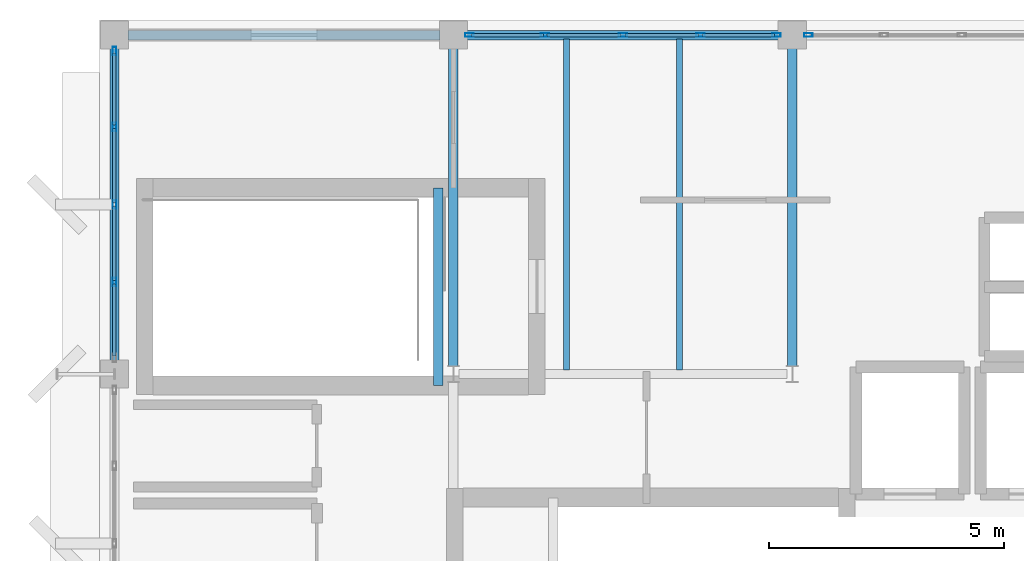
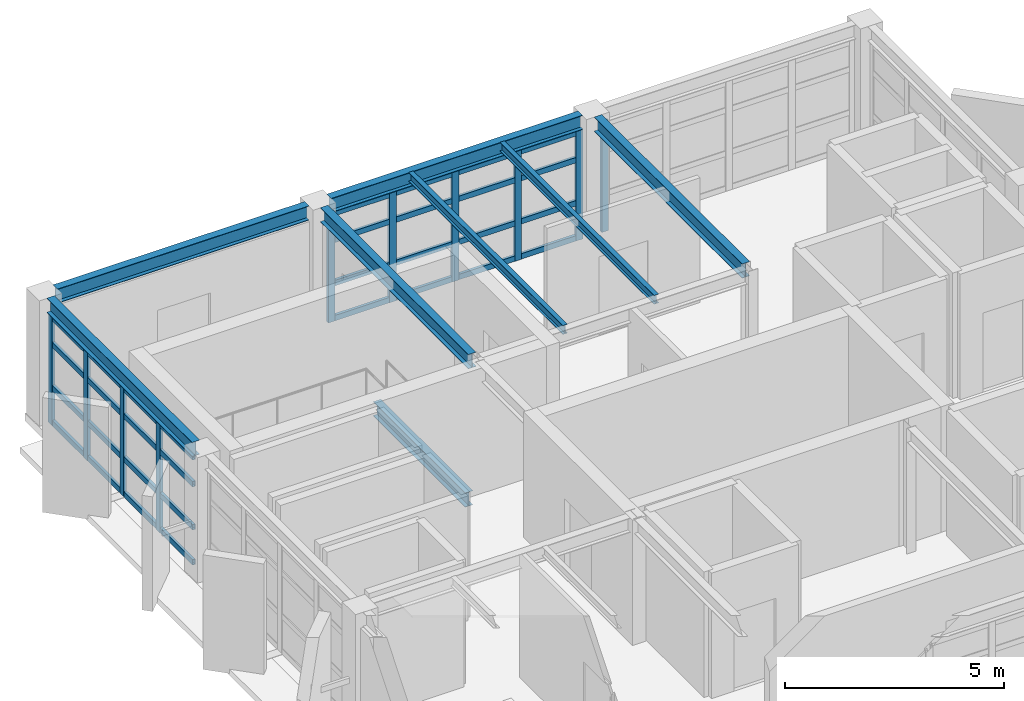
# One storey, part 5 of 13: 42 members, 8 beams, 3 elements without a shape of their own.
"""IFC4 building model written with IfcOpenShell, lengths in metres."""

from ifc_helpers import new_model, si_unit, direction, frame, origin, origin_2d, place, context, subcontext, project, spatial, hollow_rectangle, i_section, extrude, material, layer, layer_set, material_profile, profile_set, type_object, element, aggregate, save


model = new_model("IFC4")

# Units and contexts
model_context = context("Model", 3, precision=1e-05, world=origin(), true_north=direction((0.0, 1.0)))
body_context = subcontext(model_context, "Body", "Model", "MODEL_VIEW")
ifc_project = project(units=[si_unit("LENGTHUNIT", "METRE"), si_unit("AREAUNIT", "SQUARE_METRE"), si_unit("VOLUMEUNIT", "CUBIC_METRE"), si_unit("PLANEANGLEUNIT", "RADIAN"), si_unit("MASSUNIT", "GRAM", prefix="KILO")], contexts=[model_context])

# Site, building, storey
site_placement = place(None, origin())
site = spatial("IfcSite", under=ifc_project, at=site_placement, CompositionType="ELEMENT")
building_placement = place(site_placement, origin())
building = spatial("IfcBuilding", under=site, at=building_placement, Name="Kandorven Conservatory and Botanical Research Centre", CompositionType="ELEMENT")
storey_placement = place(building_placement, frame((0.0, 0.0, 63.14990234375)))
storey = spatial("IfcBuildingStorey", under=building, at=storey_placement, Name="L16", CompositionType="ELEMENT", Elevation=63.14990234375)

# Beams
ifc_material_1 = material(Name="Steel S355 (IS 2062 E350)", Category="steel")
ifc_material_profile_1 = material_profile(ifc_material_1, i_section(OverallWidth=0.199951171875, OverallDepth=0.39990234375, WebThickness=0.008544921875, FlangeThickness=0.012939453125, at=origin_2d()))
ifc_profile_set_1 = profile_set([ifc_material_profile_1], Name="Steel S355 (IS 2062 E350)")
beam_type_1 = type_object("IfcBeamType", Name="Beam_FG-03", PredefinedType="USERDEFINED", material=ifc_profile_set_1)
beam_1_placement = place(storey_placement, frame((6.2900390625, 27.60009765625, 3.2900390625), z_axis=(1.0, 0.0, 0.0), x_axis=(0.0, 1.0, 0.0)))
element("IfcBeam", 1, at=beam_1_placement, inside=storey, type_object=beam_type_1, Name="Primary girder FG-03 TWR L16", ObjectType="GIRDER", PredefinedType="USERDEFINED", context=body_context, shape_type="SweptSolid", body=[
    extrude(i_section(OverallWidth=0.199951171875, OverallDepth=0.39990234375, WebThickness=0.008544921875, FlangeThickness=0.012939453125, at=origin_2d()), origin(), (0.0, 0.0, 1.0), 6.619873046875),
])
for number, where, z_axis, x_axis, name in (
    (2, (13.489990234375, 27.60009765625, 3.2900390625), (1.0, 0.0, 0.0), (0.0, 1.0, 0.0), "Primary girder FG-03 TWR L16"),
    (3, (6.0, 20.68994140625, 3.2900390625), (0.0, 1.0, 0.0), (-1.0, 0.0, 0.0), "Primary girder FG-03 TWR L16"),
):
    element("IfcBeam", number, at=place(storey_placement, frame(where, z_axis=z_axis, x_axis=x_axis)), inside=storey, type_object=beam_type_1, Name=name, ObjectType="GIRDER", PredefinedType="USERDEFINED", context=body_context, shape_type="SweptSolid", body=[
        extrude(i_section(OverallWidth=0.199951171875, OverallDepth=0.39990234375, WebThickness=0.008544921875, FlangeThickness=0.012939453125, at=origin_2d()), origin(), (0.0, 0.0, 1.0), 6.6201171875),
    ])
for number, where, z_axis, x_axis, name in (
    (4, (13.199951171875, 20.56494140625, 3.2900390625), (0.0, 1.0, 0.0), (-1.0, 0.0, 0.0), "Primary girder FG-03 TWR L16"),
    (5, (20.39990234375, 20.56494140625, 3.2900390625), (0.0, 1.0, 0.0), (-1.0, 0.0, 0.0), "Primary girder FG-03 TWR L16"),
):
    element("IfcBeam", number, at=place(storey_placement, frame(where, z_axis=z_axis, x_axis=x_axis)), inside=storey, type_object=beam_type_1, Name=name, ObjectType="GIRDER", PredefinedType="USERDEFINED", context=body_context, shape_type="SweptSolid", body=[
        extrude(i_section(OverallWidth=0.199951171875, OverallDepth=0.39990234375, WebThickness=0.008544921875, FlangeThickness=0.012939453125, at=origin_2d()), origin(), (0.0, 0.0, 1.0), 6.7451171875),
    ])
beam_2_placement = place(storey_placement, frame((12.8798828125, 24.35009765625, -0.199951171875), z_axis=(0.0, -1.0, 0.0), x_axis=(1.0, 0.0, 0.0)))
element("IfcBeam", 6, at=beam_2_placement, inside=storey, type_object=beam_type_1, Name="Stair well bottom trimmer girder FG-03 ST-T2 L16", ObjectType="GIRDER", PredefinedType="USERDEFINED", context=body_context, shape_type="SweptSolid", body=[
    extrude(i_section(OverallWidth=0.199951171875, OverallDepth=0.39990234375, WebThickness=0.008544921875, FlangeThickness=0.012939453125, at=origin_2d()), origin(), (0.0, 0.0, 1.0), 4.190185546875),
])
ifc_material_2 = material(Name="Steel S355 (IS 2062 E350)", Category="steel")
ifc_material_profile_2 = material_profile(ifc_material_2, i_section(OverallWidth=0.125, OverallDepth=0.25, WebThickness=0.0068359375, FlangeThickness=0.012451171875, at=origin_2d()))
ifc_profile_set_2 = profile_set([ifc_material_profile_2], Name="Steel S355 (IS 2062 E350)")
beam_type_2 = type_object("IfcBeamType", Name="Beam_RJ-01", PredefinedType="JOIST", material=ifc_profile_set_2)
for number, where, z_axis, x_axis, name in (
    (7, (15.60009765625, 20.485107421875, 3.364990234375), (0.0, 1.0, 0.0), (-1.0, 0.0, 0.0), "Composite secondary beam RJ-01 TWR L16"),
    (8, (18.0, 20.485107421875, 3.364990234375), (0.0, 1.0, 0.0), (-1.0, 0.0, 0.0), "Composite secondary beam RJ-01 TWR L16"),
):
    element("IfcBeam", number, at=place(storey_placement, frame(where, z_axis=z_axis, x_axis=x_axis)), inside=storey, type_object=beam_type_2, Name=name, PredefinedType="JOIST", context=body_context, shape_type="SweptSolid", body=[
        extrude(i_section(OverallWidth=0.125, OverallDepth=0.25, WebThickness=0.0068359375, FlangeThickness=0.012451171875, at=origin_2d()), origin(), (0.0, 0.0, 1.0), 7.02978515625),
    ])

# Curtain wall, members
ifc_material_3 = material(Name="Bronze anodised thermally broken aluminium", Category="aluminium")
ifc_layer = layer(ifc_material_3, 0.179931640625)
ifc_layer_set = layer_set([ifc_layer], Name="Bronze anodised thermally broken aluminium")
curtain_wall_type = type_object("IfcCurtainWallType", Name="CW_Unitised", PredefinedType="USERDEFINED", material=ifc_layer_set)
curtain_wall_1_placement = place(storey_placement, origin())
curtain_wall_1 = element("IfcCurtainWall", 9, at=curtain_wall_1_placement, inside=storey, type_object=curtain_wall_type, Name="Tower laboratory curtain wall CW-TWR-N-L16-2", ObjectType="UNITISED GLAZING", PredefinedType="USERDEFINED")
ifc_material_4 = material(Name="Bronze anodised thermally broken aluminium", Category="aluminium")
ifc_material_profile_3 = material_profile(ifc_material_4, hollow_rectangle(XDim=0.080078125, YDim=0.179931640625, WallThickness=0.006103515625, at=origin_2d()))
ifc_profile_set_3 = profile_set([ifc_material_profile_3], Name="Bronze anodised thermally broken aluminium")
member_type_1 = type_object("IfcMemberType", Name="CW_Mullion", PredefinedType="MULLION", material=ifc_profile_set_3)
member_1_placement = place(storey_placement, frame((13.5400390625, 27.60009765625, 0.0), z_axis=(0.0, 0.0, 1.0), x_axis=(0.0, 1.0, 0.0)))
member_1 = element("IfcMember", 10, at=member_1_placement, type_object=member_type_1, Name="CW-01 mullion 1", PredefinedType="MULLION", context=body_context, shape_type="SweptSolid", body=[
    extrude(hollow_rectangle(XDim=0.080078125, YDim=0.179931640625, WallThickness=0.006103515625, at=origin_2d()), origin(), (0.0, 0.0, 1.0), 3.070068359375),
])
member_2_placement = place(storey_placement, frame((15.14990234375, 27.60009765625, 0.0), z_axis=(0.0, 0.0, 1.0), x_axis=(0.0, 1.0, 0.0)))
member_2 = element("IfcMember", 11, at=member_2_placement, type_object=member_type_1, Name="CW-01 mullion 2", PredefinedType="MULLION", context=body_context, shape_type="SweptSolid", body=[
    extrude(hollow_rectangle(XDim=0.080078125, YDim=0.179931640625, WallThickness=0.006103515625, at=origin_2d()), origin(), (0.0, 0.0, 1.0), 3.070068359375),
])
member_3_placement = place(storey_placement, frame((16.800048828125, 27.60009765625, 0.0), z_axis=(0.0, 0.0, 1.0), x_axis=(0.0, 1.0, 0.0)))
member_3 = element("IfcMember", 12, at=member_3_placement, type_object=member_type_1, Name="CW-01 mullion 3", PredefinedType="MULLION", context=body_context, shape_type="SweptSolid", body=[
    extrude(hollow_rectangle(XDim=0.080078125, YDim=0.179931640625, WallThickness=0.006103515625, at=origin_2d()), origin(), (0.0, 0.0, 1.0), 3.070068359375),
])
member_4_placement = place(storey_placement, frame((18.449951171875, 27.60009765625, 0.0), z_axis=(0.0, 0.0, 1.0), x_axis=(0.0, 1.0, 0.0)))
member_4 = element("IfcMember", 13, at=member_4_placement, type_object=member_type_1, Name="CW-01 mullion 4", PredefinedType="MULLION", context=body_context, shape_type="SweptSolid", body=[
    extrude(hollow_rectangle(XDim=0.080078125, YDim=0.179931640625, WallThickness=0.006103515625, at=origin_2d()), origin(), (0.0, 0.0, 1.0), 3.070068359375),
])
member_5_placement = place(storey_placement, frame((20.06005859375, 27.60009765625, 0.0), z_axis=(0.0, 0.0, 1.0), x_axis=(0.0, 1.0, 0.0)))
member_5 = element("IfcMember", 14, at=member_5_placement, type_object=member_type_1, Name="CW-01 mullion 5", PredefinedType="MULLION", context=body_context, shape_type="SweptSolid", body=[
    extrude(hollow_rectangle(XDim=0.080078125, YDim=0.179931640625, WallThickness=0.006103515625, at=origin_2d()), origin(), (0.0, 0.0, 1.0), 3.070068359375),
])

# Curtain wall, member
curtain_wall_2_placement = place(storey_placement, origin())
curtain_wall_2 = element("IfcCurtainWall", 15, at=curtain_wall_2_placement, inside=storey, type_object=curtain_wall_type, Name="Tower laboratory curtain wall CW-TWR-N-L16-3", ObjectType="UNITISED GLAZING", PredefinedType="USERDEFINED")
member_6_placement = place(storey_placement, frame((20.739990234375, 27.60009765625, 0.0), z_axis=(0.0, 0.0, 1.0), x_axis=(0.0, 1.0, 0.0)))
member_6 = element("IfcMember", 16, at=member_6_placement, type_object=member_type_1, Name="CW-01 mullion 1", PredefinedType="MULLION", context=body_context, shape_type="SweptSolid", body=[
    extrude(hollow_rectangle(XDim=0.080078125, YDim=0.179931640625, WallThickness=0.006103515625, at=origin_2d()), origin(), (0.0, 0.0, 1.0), 3.070068359375),
])
aggregate(curtain_wall_2, [member_6])

# Curtain wall, members
curtain_wall_3_placement = place(storey_placement, origin())
curtain_wall_3 = element("IfcCurtainWall", 17, at=curtain_wall_3_placement, inside=storey, type_object=curtain_wall_type, Name="Tower laboratory curtain wall CW-TWR-W-L16-3", ObjectType="UNITISED GLAZING", PredefinedType="USERDEFINED")
member_7_placement = place(storey_placement, frame((6.0, 22.35009765625, 0.0), z_axis=(0.0, 0.0, 1.0), x_axis=(-1.0, 0.0, 0.0)))
member_7 = element("IfcMember", 18, at=member_7_placement, type_object=member_type_1, Name="CW-01 mullion 2", PredefinedType="MULLION", context=body_context, shape_type="SweptSolid", body=[
    extrude(hollow_rectangle(XDim=0.080078125, YDim=0.179931640625, WallThickness=0.006103515625, at=origin_2d()), origin(), (0.0, 0.0, 1.0), 3.070068359375),
])
member_8_placement = place(storey_placement, frame((6.0, 24.0, 0.0), z_axis=(0.0, 0.0, 1.0), x_axis=(-1.0, 0.0, 0.0)))
member_8 = element("IfcMember", 19, at=member_8_placement, type_object=member_type_1, Name="CW-01 mullion 3", PredefinedType="MULLION", context=body_context, shape_type="SweptSolid", body=[
    extrude(hollow_rectangle(XDim=0.080078125, YDim=0.179931640625, WallThickness=0.006103515625, at=origin_2d()), origin(), (0.0, 0.0, 1.0), 3.070068359375),
])
member_9_placement = place(storey_placement, frame((6.0, 25.64990234375, 0.0), z_axis=(0.0, 0.0, 1.0), x_axis=(-1.0, 0.0, 0.0)))
member_9 = element("IfcMember", 20, at=member_9_placement, type_object=member_type_1, Name="CW-01 mullion 4", PredefinedType="MULLION", context=body_context, shape_type="SweptSolid", body=[
    extrude(hollow_rectangle(XDim=0.080078125, YDim=0.179931640625, WallThickness=0.006103515625, at=origin_2d()), origin(), (0.0, 0.0, 1.0), 3.070068359375),
])
member_10_placement = place(storey_placement, frame((6.0, 27.260009765625, 0.0), z_axis=(0.0, 0.0, 1.0), x_axis=(-1.0, 0.0, 0.0)))
member_10 = element("IfcMember", 21, at=member_10_placement, type_object=member_type_1, Name="CW-01 mullion 5", PredefinedType="MULLION", context=body_context, shape_type="SweptSolid", body=[
    extrude(hollow_rectangle(XDim=0.080078125, YDim=0.179931640625, WallThickness=0.006103515625, at=origin_2d()), origin(), (0.0, 0.0, 1.0), 3.070068359375),
])

# Member
ifc_material_5 = material(Name="Bronze anodised thermally broken aluminium", Category="aluminium")
ifc_material_profile_4 = material_profile(ifc_material_5, hollow_rectangle(XDim=0.074951171875, YDim=0.14990234375, WallThickness=0.006103515625, at=origin_2d()))
ifc_profile_set_4 = profile_set([ifc_material_profile_4], Name="Bronze anodised thermally broken aluminium")
member_type_2 = type_object("IfcMemberType", Name="CW_Transom", PredefinedType="USERDEFINED", material=ifc_profile_set_4)
member_11_placement = place(storey_placement, frame((13.580078125, 27.60009765625, 0.0751953125), z_axis=(1.0, 0.0, 0.0), x_axis=(0.0, 1.0, 0.0)))
member_11 = element("IfcMember", 22, at=member_11_placement, type_object=member_type_2, Name="CW-01 transom 1.1", ObjectType="TRANSOM", PredefinedType="USERDEFINED", context=body_context, shape_type="SweptSolid", body=[
    extrude(hollow_rectangle(XDim=0.074951171875, YDim=0.14990234375, WallThickness=0.006103515625, at=origin_2d()), origin(), (0.0, 0.0, 1.0), 1.530029296875),
])

member_12_placement = place(storey_placement, frame((13.580078125, 27.60009765625, 1.050048828125), z_axis=(1.0, 0.0, 0.0), x_axis=(0.0, 1.0, 0.0)))
member_12 = element("IfcMember", 23, at=member_12_placement, type_object=member_type_2, Name="CW-01 transom 1.2", ObjectType="TRANSOM", PredefinedType="USERDEFINED", context=body_context, shape_type="SweptSolid", body=[
    extrude(hollow_rectangle(XDim=0.074951171875, YDim=0.14990234375, WallThickness=0.006103515625, at=origin_2d()), origin(), (0.0, 0.0, 1.0), 1.530029296875),
])

member_13_placement = place(storey_placement, frame((13.580078125, 27.60009765625, 2.25), z_axis=(1.0, 0.0, 0.0), x_axis=(0.0, 1.0, 0.0)))
member_13 = element("IfcMember", 24, at=member_13_placement, type_object=member_type_2, Name="CW-01 transom 1.3", ObjectType="TRANSOM", PredefinedType="USERDEFINED", context=body_context, shape_type="SweptSolid", body=[
    extrude(hollow_rectangle(XDim=0.074951171875, YDim=0.14990234375, WallThickness=0.006103515625, at=origin_2d()), origin(), (0.0, 0.0, 1.0), 1.530029296875),
])

member_14_placement = place(storey_placement, frame((13.580078125, 27.60009765625, 2.9951171875), z_axis=(1.0, 0.0, 0.0), x_axis=(0.0, 1.0, 0.0)))
member_14 = element("IfcMember", 25, at=member_14_placement, type_object=member_type_2, Name="CW-01 transom 1.4", ObjectType="TRANSOM", PredefinedType="USERDEFINED", context=body_context, shape_type="SweptSolid", body=[
    extrude(hollow_rectangle(XDim=0.074951171875, YDim=0.14990234375, WallThickness=0.006103515625, at=origin_2d()), origin(), (0.0, 0.0, 1.0), 1.530029296875),
])

member_15_placement = place(storey_placement, frame((15.18994140625, 27.60009765625, 0.0751953125), z_axis=(1.0, 0.0, 0.0), x_axis=(0.0, 1.0, 0.0)))
member_15 = element("IfcMember", 26, at=member_15_placement, type_object=member_type_2, Name="CW-01 transom 2.1", ObjectType="TRANSOM", PredefinedType="USERDEFINED", context=body_context, shape_type="SweptSolid", body=[
    extrude(hollow_rectangle(XDim=0.074951171875, YDim=0.14990234375, WallThickness=0.006103515625, at=origin_2d()), origin(), (0.0, 0.0, 1.0), 1.570068359375),
])

member_16_placement = place(storey_placement, frame((15.18994140625, 27.60009765625, 1.050048828125), z_axis=(1.0, 0.0, 0.0), x_axis=(0.0, 1.0, 0.0)))
member_16 = element("IfcMember", 27, at=member_16_placement, type_object=member_type_2, Name="CW-01 transom 2.2", ObjectType="TRANSOM", PredefinedType="USERDEFINED", context=body_context, shape_type="SweptSolid", body=[
    extrude(hollow_rectangle(XDim=0.074951171875, YDim=0.14990234375, WallThickness=0.006103515625, at=origin_2d()), origin(), (0.0, 0.0, 1.0), 1.570068359375),
])

member_17_placement = place(storey_placement, frame((15.18994140625, 27.60009765625, 2.25), z_axis=(1.0, 0.0, 0.0), x_axis=(0.0, 1.0, 0.0)))
member_17 = element("IfcMember", 28, at=member_17_placement, type_object=member_type_2, Name="CW-01 transom 2.3", ObjectType="TRANSOM", PredefinedType="USERDEFINED", context=body_context, shape_type="SweptSolid", body=[
    extrude(hollow_rectangle(XDim=0.074951171875, YDim=0.14990234375, WallThickness=0.006103515625, at=origin_2d()), origin(), (0.0, 0.0, 1.0), 1.570068359375),
])

member_18_placement = place(storey_placement, frame((15.18994140625, 27.60009765625, 2.9951171875), z_axis=(1.0, 0.0, 0.0), x_axis=(0.0, 1.0, 0.0)))
member_18 = element("IfcMember", 29, at=member_18_placement, type_object=member_type_2, Name="CW-01 transom 2.4", ObjectType="TRANSOM", PredefinedType="USERDEFINED", context=body_context, shape_type="SweptSolid", body=[
    extrude(hollow_rectangle(XDim=0.074951171875, YDim=0.14990234375, WallThickness=0.006103515625, at=origin_2d()), origin(), (0.0, 0.0, 1.0), 1.570068359375),
])

member_19_placement = place(storey_placement, frame((16.840087890625, 27.60009765625, 0.0751953125), z_axis=(1.0, 0.0, 0.0), x_axis=(0.0, 1.0, 0.0)))
member_19 = element("IfcMember", 30, at=member_19_placement, type_object=member_type_2, Name="CW-01 transom 3.1", ObjectType="TRANSOM", PredefinedType="USERDEFINED", context=body_context, shape_type="SweptSolid", body=[
    extrude(hollow_rectangle(XDim=0.074951171875, YDim=0.14990234375, WallThickness=0.006103515625, at=origin_2d()), origin(), (0.0, 0.0, 1.0), 1.56982421875),
])

member_20_placement = place(storey_placement, frame((16.840087890625, 27.60009765625, 1.050048828125), z_axis=(1.0, 0.0, 0.0), x_axis=(0.0, 1.0, 0.0)))
member_20 = element("IfcMember", 31, at=member_20_placement, type_object=member_type_2, Name="CW-01 transom 3.2", ObjectType="TRANSOM", PredefinedType="USERDEFINED", context=body_context, shape_type="SweptSolid", body=[
    extrude(hollow_rectangle(XDim=0.074951171875, YDim=0.14990234375, WallThickness=0.006103515625, at=origin_2d()), origin(), (0.0, 0.0, 1.0), 1.56982421875),
])

member_21_placement = place(storey_placement, frame((16.840087890625, 27.60009765625, 2.25), z_axis=(1.0, 0.0, 0.0), x_axis=(0.0, 1.0, 0.0)))
member_21 = element("IfcMember", 32, at=member_21_placement, type_object=member_type_2, Name="CW-01 transom 3.3", ObjectType="TRANSOM", PredefinedType="USERDEFINED", context=body_context, shape_type="SweptSolid", body=[
    extrude(hollow_rectangle(XDim=0.074951171875, YDim=0.14990234375, WallThickness=0.006103515625, at=origin_2d()), origin(), (0.0, 0.0, 1.0), 1.56982421875),
])

member_22_placement = place(storey_placement, frame((16.840087890625, 27.60009765625, 2.9951171875), z_axis=(1.0, 0.0, 0.0), x_axis=(0.0, 1.0, 0.0)))
member_22 = element("IfcMember", 33, at=member_22_placement, type_object=member_type_2, Name="CW-01 transom 3.4", ObjectType="TRANSOM", PredefinedType="USERDEFINED", context=body_context, shape_type="SweptSolid", body=[
    extrude(hollow_rectangle(XDim=0.074951171875, YDim=0.14990234375, WallThickness=0.006103515625, at=origin_2d()), origin(), (0.0, 0.0, 1.0), 1.56982421875),
])

member_23_placement = place(storey_placement, frame((18.489990234375, 27.60009765625, 0.0751953125), z_axis=(1.0, 0.0, 0.0), x_axis=(0.0, 1.0, 0.0)))
member_23 = element("IfcMember", 34, at=member_23_placement, type_object=member_type_2, Name="CW-01 transom 4.1", ObjectType="TRANSOM", PredefinedType="USERDEFINED", context=body_context, shape_type="SweptSolid", body=[
    extrude(hollow_rectangle(XDim=0.074951171875, YDim=0.14990234375, WallThickness=0.006103515625, at=origin_2d()), origin(), (0.0, 0.0, 1.0), 1.530029296875),
])

member_24_placement = place(storey_placement, frame((18.489990234375, 27.60009765625, 1.050048828125), z_axis=(1.0, 0.0, 0.0), x_axis=(0.0, 1.0, 0.0)))
member_24 = element("IfcMember", 35, at=member_24_placement, type_object=member_type_2, Name="CW-01 transom 4.2", ObjectType="TRANSOM", PredefinedType="USERDEFINED", context=body_context, shape_type="SweptSolid", body=[
    extrude(hollow_rectangle(XDim=0.074951171875, YDim=0.14990234375, WallThickness=0.006103515625, at=origin_2d()), origin(), (0.0, 0.0, 1.0), 1.530029296875),
])

member_25_placement = place(storey_placement, frame((18.489990234375, 27.60009765625, 2.25), z_axis=(1.0, 0.0, 0.0), x_axis=(0.0, 1.0, 0.0)))
member_25 = element("IfcMember", 36, at=member_25_placement, type_object=member_type_2, Name="CW-01 transom 4.3", ObjectType="TRANSOM", PredefinedType="USERDEFINED", context=body_context, shape_type="SweptSolid", body=[
    extrude(hollow_rectangle(XDim=0.074951171875, YDim=0.14990234375, WallThickness=0.006103515625, at=origin_2d()), origin(), (0.0, 0.0, 1.0), 1.530029296875),
])

member_26_placement = place(storey_placement, frame((18.489990234375, 27.60009765625, 2.9951171875), z_axis=(1.0, 0.0, 0.0), x_axis=(0.0, 1.0, 0.0)))
member_26 = element("IfcMember", 37, at=member_26_placement, type_object=member_type_2, Name="CW-01 transom 4.4", ObjectType="TRANSOM", PredefinedType="USERDEFINED", context=body_context, shape_type="SweptSolid", body=[
    extrude(hollow_rectangle(XDim=0.074951171875, YDim=0.14990234375, WallThickness=0.006103515625, at=origin_2d()), origin(), (0.0, 0.0, 1.0), 1.530029296875),
])

aggregate(curtain_wall_1, [member_1, member_2, member_3, member_4, member_5, member_11, member_12, member_13, member_14, member_15, member_16, member_17, member_18, member_19, member_20, member_21, member_22, member_23, member_24, member_25, member_26])

member_27_placement = place(storey_placement, frame((6.0, 20.780029296875, 0.0751953125), z_axis=(0.0, 1.0, 0.0), x_axis=(-1.0, 0.0, 0.0)))
member_27 = element("IfcMember", 38, at=member_27_placement, type_object=member_type_2, Name="CW-01 transom 1.1", ObjectType="TRANSOM", PredefinedType="USERDEFINED", context=body_context, shape_type="SweptSolid", body=[
    extrude(hollow_rectangle(XDim=0.074951171875, YDim=0.14990234375, WallThickness=0.006103515625, at=origin_2d()), origin(), (0.0, 0.0, 1.0), 1.530029296875),
])

member_28_placement = place(storey_placement, frame((6.0, 20.780029296875, 1.050048828125), z_axis=(0.0, 1.0, 0.0), x_axis=(-1.0, 0.0, 0.0)))
member_28 = element("IfcMember", 39, at=member_28_placement, type_object=member_type_2, Name="CW-01 transom 1.2", ObjectType="TRANSOM", PredefinedType="USERDEFINED", context=body_context, shape_type="SweptSolid", body=[
    extrude(hollow_rectangle(XDim=0.074951171875, YDim=0.14990234375, WallThickness=0.006103515625, at=origin_2d()), origin(), (0.0, 0.0, 1.0), 1.530029296875),
])

member_29_placement = place(storey_placement, frame((6.0, 20.780029296875, 2.25), z_axis=(0.0, 1.0, 0.0), x_axis=(-1.0, 0.0, 0.0)))
member_29 = element("IfcMember", 40, at=member_29_placement, type_object=member_type_2, Name="CW-01 transom 1.3", ObjectType="TRANSOM", PredefinedType="USERDEFINED", context=body_context, shape_type="SweptSolid", body=[
    extrude(hollow_rectangle(XDim=0.074951171875, YDim=0.14990234375, WallThickness=0.006103515625, at=origin_2d()), origin(), (0.0, 0.0, 1.0), 1.530029296875),
])

member_30_placement = place(storey_placement, frame((6.0, 20.780029296875, 2.9951171875), z_axis=(0.0, 1.0, 0.0), x_axis=(-1.0, 0.0, 0.0)))
member_30 = element("IfcMember", 41, at=member_30_placement, type_object=member_type_2, Name="CW-01 transom 1.4", ObjectType="TRANSOM", PredefinedType="USERDEFINED", context=body_context, shape_type="SweptSolid", body=[
    extrude(hollow_rectangle(XDim=0.074951171875, YDim=0.14990234375, WallThickness=0.006103515625, at=origin_2d()), origin(), (0.0, 0.0, 1.0), 1.530029296875),
])

member_31_placement = place(storey_placement, frame((6.0, 22.389892578125, 0.0751953125), z_axis=(0.0, 1.0, 0.0), x_axis=(-1.0, 0.0, 0.0)))
member_31 = element("IfcMember", 42, at=member_31_placement, type_object=member_type_2, Name="CW-01 transom 2.1", ObjectType="TRANSOM", PredefinedType="USERDEFINED", context=body_context, shape_type="SweptSolid", body=[
    extrude(hollow_rectangle(XDim=0.074951171875, YDim=0.14990234375, WallThickness=0.006103515625, at=origin_2d()), origin(), (0.0, 0.0, 1.0), 1.570068359375),
])

member_32_placement = place(storey_placement, frame((6.0, 22.389892578125, 1.050048828125), z_axis=(0.0, 1.0, 0.0), x_axis=(-1.0, 0.0, 0.0)))
member_32 = element("IfcMember", 43, at=member_32_placement, type_object=member_type_2, Name="CW-01 transom 2.2", ObjectType="TRANSOM", PredefinedType="USERDEFINED", context=body_context, shape_type="SweptSolid", body=[
    extrude(hollow_rectangle(XDim=0.074951171875, YDim=0.14990234375, WallThickness=0.006103515625, at=origin_2d()), origin(), (0.0, 0.0, 1.0), 1.570068359375),
])

member_33_placement = place(storey_placement, frame((6.0, 22.389892578125, 2.25), z_axis=(0.0, 1.0, 0.0), x_axis=(-1.0, 0.0, 0.0)))
member_33 = element("IfcMember", 44, at=member_33_placement, type_object=member_type_2, Name="CW-01 transom 2.3", ObjectType="TRANSOM", PredefinedType="USERDEFINED", context=body_context, shape_type="SweptSolid", body=[
    extrude(hollow_rectangle(XDim=0.074951171875, YDim=0.14990234375, WallThickness=0.006103515625, at=origin_2d()), origin(), (0.0, 0.0, 1.0), 1.570068359375),
])

member_34_placement = place(storey_placement, frame((6.0, 22.389892578125, 2.9951171875), z_axis=(0.0, 1.0, 0.0), x_axis=(-1.0, 0.0, 0.0)))
member_34 = element("IfcMember", 45, at=member_34_placement, type_object=member_type_2, Name="CW-01 transom 2.4", ObjectType="TRANSOM", PredefinedType="USERDEFINED", context=body_context, shape_type="SweptSolid", body=[
    extrude(hollow_rectangle(XDim=0.074951171875, YDim=0.14990234375, WallThickness=0.006103515625, at=origin_2d()), origin(), (0.0, 0.0, 1.0), 1.570068359375),
])

member_35_placement = place(storey_placement, frame((6.0, 24.0400390625, 0.0751953125), z_axis=(0.0, 1.0, 0.0), x_axis=(-1.0, 0.0, 0.0)))
member_35 = element("IfcMember", 46, at=member_35_placement, type_object=member_type_2, Name="CW-01 transom 3.1", ObjectType="TRANSOM", PredefinedType="USERDEFINED", context=body_context, shape_type="SweptSolid", body=[
    extrude(hollow_rectangle(XDim=0.074951171875, YDim=0.14990234375, WallThickness=0.006103515625, at=origin_2d()), origin(), (0.0, 0.0, 1.0), 1.570068359375),
])

member_36_placement = place(storey_placement, frame((6.0, 24.0400390625, 1.050048828125), z_axis=(0.0, 1.0, 0.0), x_axis=(-1.0, 0.0, 0.0)))
member_36 = element("IfcMember", 47, at=member_36_placement, type_object=member_type_2, Name="CW-01 transom 3.2", ObjectType="TRANSOM", PredefinedType="USERDEFINED", context=body_context, shape_type="SweptSolid", body=[
    extrude(hollow_rectangle(XDim=0.074951171875, YDim=0.14990234375, WallThickness=0.006103515625, at=origin_2d()), origin(), (0.0, 0.0, 1.0), 1.570068359375),
])

member_37_placement = place(storey_placement, frame((6.0, 24.0400390625, 2.25), z_axis=(0.0, 1.0, 0.0), x_axis=(-1.0, 0.0, 0.0)))
member_37 = element("IfcMember", 48, at=member_37_placement, type_object=member_type_2, Name="CW-01 transom 3.3", ObjectType="TRANSOM", PredefinedType="USERDEFINED", context=body_context, shape_type="SweptSolid", body=[
    extrude(hollow_rectangle(XDim=0.074951171875, YDim=0.14990234375, WallThickness=0.006103515625, at=origin_2d()), origin(), (0.0, 0.0, 1.0), 1.570068359375),
])

member_38_placement = place(storey_placement, frame((6.0, 24.0400390625, 2.9951171875), z_axis=(0.0, 1.0, 0.0), x_axis=(-1.0, 0.0, 0.0)))
member_38 = element("IfcMember", 49, at=member_38_placement, type_object=member_type_2, Name="CW-01 transom 3.4", ObjectType="TRANSOM", PredefinedType="USERDEFINED", context=body_context, shape_type="SweptSolid", body=[
    extrude(hollow_rectangle(XDim=0.074951171875, YDim=0.14990234375, WallThickness=0.006103515625, at=origin_2d()), origin(), (0.0, 0.0, 1.0), 1.570068359375),
])

member_39_placement = place(storey_placement, frame((6.0, 25.68994140625, 0.0751953125), z_axis=(0.0, 1.0, 0.0), x_axis=(-1.0, 0.0, 0.0)))
member_39 = element("IfcMember", 50, at=member_39_placement, type_object=member_type_2, Name="CW-01 transom 4.1", ObjectType="TRANSOM", PredefinedType="USERDEFINED", context=body_context, shape_type="SweptSolid", body=[
    extrude(hollow_rectangle(XDim=0.074951171875, YDim=0.14990234375, WallThickness=0.006103515625, at=origin_2d()), origin(), (0.0, 0.0, 1.0), 1.530029296875),
])

member_40_placement = place(storey_placement, frame((6.0, 25.68994140625, 1.050048828125), z_axis=(0.0, 1.0, 0.0), x_axis=(-1.0, 0.0, 0.0)))
member_40 = element("IfcMember", 51, at=member_40_placement, type_object=member_type_2, Name="CW-01 transom 4.2", ObjectType="TRANSOM", PredefinedType="USERDEFINED", context=body_context, shape_type="SweptSolid", body=[
    extrude(hollow_rectangle(XDim=0.074951171875, YDim=0.14990234375, WallThickness=0.006103515625, at=origin_2d()), origin(), (0.0, 0.0, 1.0), 1.530029296875),
])

member_41_placement = place(storey_placement, frame((6.0, 25.68994140625, 2.25), z_axis=(0.0, 1.0, 0.0), x_axis=(-1.0, 0.0, 0.0)))
member_41 = element("IfcMember", 52, at=member_41_placement, type_object=member_type_2, Name="CW-01 transom 4.3", ObjectType="TRANSOM", PredefinedType="USERDEFINED", context=body_context, shape_type="SweptSolid", body=[
    extrude(hollow_rectangle(XDim=0.074951171875, YDim=0.14990234375, WallThickness=0.006103515625, at=origin_2d()), origin(), (0.0, 0.0, 1.0), 1.530029296875),
])

member_42_placement = place(storey_placement, frame((6.0, 25.68994140625, 2.9951171875), z_axis=(0.0, 1.0, 0.0), x_axis=(-1.0, 0.0, 0.0)))
member_42 = element("IfcMember", 53, at=member_42_placement, type_object=member_type_2, Name="CW-01 transom 4.4", ObjectType="TRANSOM", PredefinedType="USERDEFINED", context=body_context, shape_type="SweptSolid", body=[
    extrude(hollow_rectangle(XDim=0.074951171875, YDim=0.14990234375, WallThickness=0.006103515625, at=origin_2d()), origin(), (0.0, 0.0, 1.0), 1.530029296875),
])

aggregate(curtain_wall_3, [member_7, member_8, member_9, member_10, member_27, member_28, member_29, member_30, member_31, member_32, member_33, member_34, member_35, member_36, member_37, member_38, member_39, member_40, member_41, member_42])

save(model, "model.ifc")
